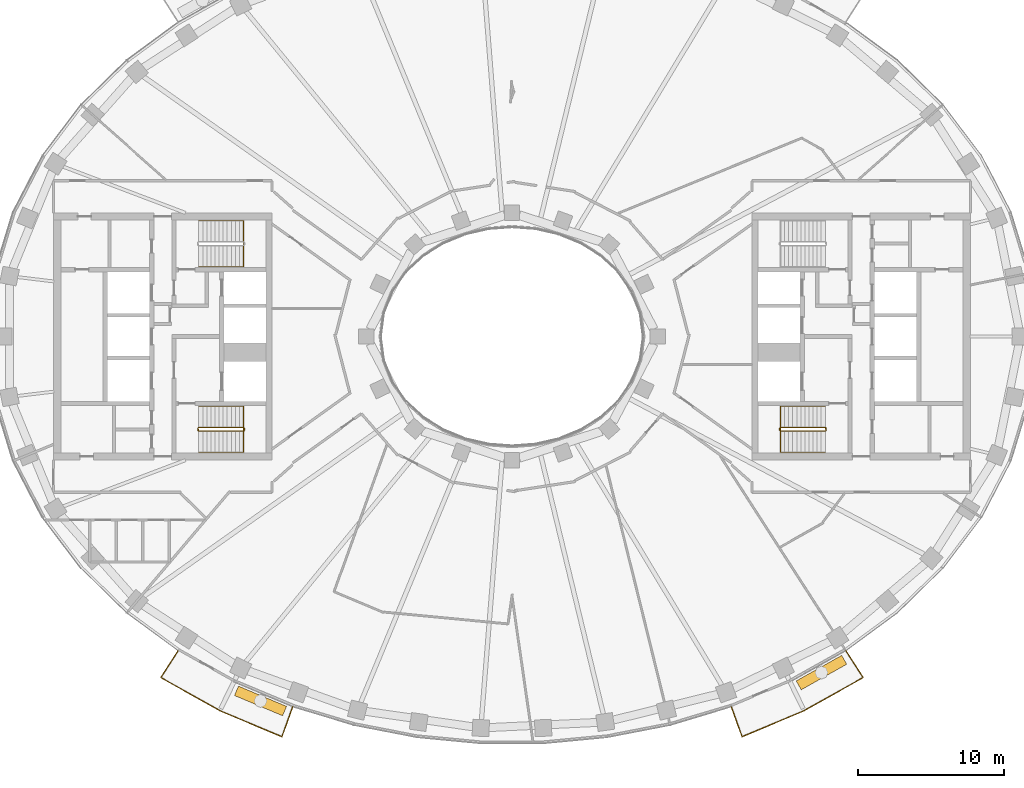
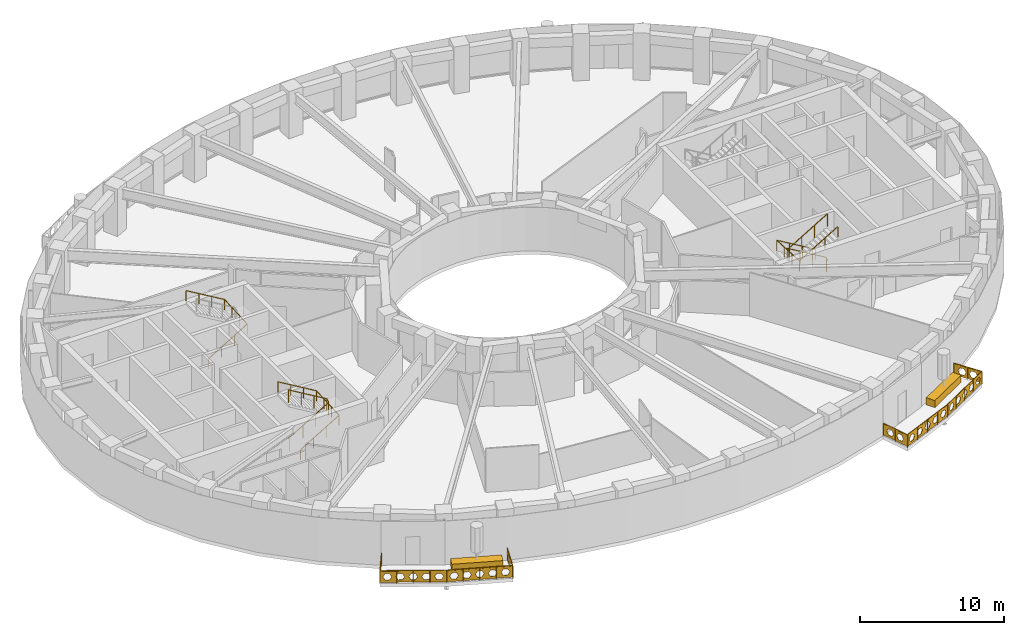
# One storey, part 13 of 15: 7 railings, 2 coverings.
"""IFC4 building model written with IfcOpenShell, lengths in metres."""

from ifc_helpers import new_model, si_unit, direction, frame, origin, origin_2d, place, context, subcontext, project, spatial, polyline, rectangle, outline, extrude, material, type_object, element, save


model = new_model("IFC4")

# Units and contexts
model_context = context("Model", 3, precision=1e-05, world=origin(), true_north=direction((0.0, 1.0)))
body_context = subcontext(model_context, "Body", "Model", "MODEL_VIEW")
ifc_project = project(units=[si_unit("LENGTHUNIT", "METRE"), si_unit("AREAUNIT", "SQUARE_METRE"), si_unit("VOLUMEUNIT", "CUBIC_METRE"), si_unit("PLANEANGLEUNIT", "RADIAN"), si_unit("MASSUNIT", "GRAM", prefix="KILO")], contexts=[model_context])

# Site, building, storey
site_placement = place(None, origin())
site = spatial("IfcSite", under=ifc_project, at=site_placement, CompositionType="ELEMENT")
building_placement = place(site_placement, origin())
building = spatial("IfcBuilding", under=site, at=building_placement, Name="Noorbagh Ring Tower", CompositionType="ELEMENT")
storey_placement = place(building_placement, frame((0.0, 0.0, 182.0)))
storey = spatial("IfcBuildingStorey", under=building, at=storey_placement, Name="L42", CompositionType="ELEMENT", Elevation=182.0)

# Railings
ifc_material_1 = material(Name="Stainless steel", Category="steel")
railing_type_1 = type_object("IfcRailingType", Name="CORE-STAIR-GUARD", PredefinedType="GUARDRAIL", material=ifc_material_1)
railing_1_placement = place(storey_placement, frame((-21.580078125, -6.449951171875, 0.0)))
element("IfcRailing", 1, at=railing_1_placement, inside=storey, type_object=railing_type_1, Name="L42 ST2 stair guard", PredefinedType="GUARDRAIL", context=body_context, shape_type="SweptSolid", body=[
    extrude(rectangle(XDim=0.048095703125, YDim=0.048095703125, at=origin_2d()), frame((0.0, 0.0, 1.076171875), z_axis=(0.0, 1.0, 0.0), x_axis=(-1.0, 0.0, 0.0)), (0.0, 0.0, 1.0), 0.14990234375),
    extrude(rectangle(XDim=0.048095703125, YDim=0.048095703125, at=origin_2d()), frame((0.0, 0.14990234375, 1.076171875), z_axis=(0.188775798145, -0.754182335027, 0.628945707965), x_axis=(0.970072785993, 0.242814311512, 0.0)), (0.0, 0.0, 1.0), 0.26513671875),
    extrude(rectangle(XDim=0.048095703125, YDim=0.048095703125, at=origin_2d()), frame((0.050048828125, -0.050048828125, 1.24267578125), z_axis=(0.859308565015, 0.0, 0.511457515432), x_axis=(0.0, 1.0, 0.0)), (0.0, 0.0, 1.0), 3.58447265625),
    extrude(rectangle(XDim=0.048095703125, YDim=0.048095703125, at=origin_2d()), frame((3.130126953125, -0.050048828125, 3.076171875), z_axis=(0.707106781187, 0.707106781187, 0.0), x_axis=(-0.707106781187, 0.707106781187, 0.0)), (0.0, 0.0, 1.0), 0.07080078125),
    extrude(rectangle(XDim=0.048095703125, YDim=0.048095703125, at=origin_2d()), frame((3.18017578125, 0.0, 3.076171875), z_axis=(0.0, 1.0, 0.0), x_axis=(-1.0, 0.0, 0.0)), (0.0, 0.0, 1.0), 0.14990234375),
    extrude(rectangle(XDim=0.048095703125, YDim=0.048095703125, at=origin_2d()), frame((3.18017578125, 0.14990234375, 3.076171875), z_axis=(-0.27628659633, 0.27628659633, 0.920506074601), x_axis=(-0.707106781187, -0.707106781187, 0.0)), (0.0, 0.0, 1.0), 0.18115234375),
    extrude(rectangle(XDim=0.048095703125, YDim=0.048095703125, at=origin_2d()), frame((3.130126953125, 0.199951171875, 3.24267578125), z_axis=(-0.859308565015, 0.0, 0.511457515432), x_axis=(0.0, -1.0, 0.0)), (0.0, 0.0, 1.0), 3.58447265625),
    extrude(rectangle(XDim=0.0419921875, YDim=0.0419921875, at=origin_2d()), origin(), (0.0, 0.0, 1.0), 1.052001953125),
    extrude(rectangle(XDim=0.0419921875, YDim=0.0419921875, at=origin_2d()), frame((1.07666015625, -0.050048828125, 0.77783203125)), (0.0, 0.0, 1.0), 1.052001953125),
    extrude(rectangle(XDim=0.0419921875, YDim=0.0419921875, at=origin_2d()), frame((2.103515625, -0.050048828125, 1.388916015625)), (0.0, 0.0, 1.0), 1.052001953125),
    extrude(rectangle(XDim=0.0419921875, YDim=0.0419921875, at=origin_2d()), frame((3.130126953125, -0.050048828125, 2.0)), (0.0, 0.0, 1.0), 1.052001953125),
    extrude(rectangle(XDim=0.0419921875, YDim=0.0419921875, at=origin_2d()), frame((3.130126953125, 0.199951171875, 2.166748046875)), (0.0, 0.0, 1.0), 1.052001953125),
    extrude(rectangle(XDim=0.0419921875, YDim=0.0419921875, at=origin_2d()), frame((2.103515625, 0.199951171875, 2.77783203125)), (0.0, 0.0, 1.0), 1.052001953125),
    extrude(rectangle(XDim=0.0419921875, YDim=0.0419921875, at=origin_2d()), frame((1.07666015625, 0.199951171875, 3.388916015625)), (0.0, 0.0, 1.0), 1.052001953125),
    extrude(rectangle(XDim=0.0419921875, YDim=0.0419921875, at=origin_2d()), frame((0.050048828125, 0.199951171875, 4.0)), (0.0, 0.0, 1.0), 1.052001953125),
])
railing_2_placement = place(storey_placement, frame((21.580078125, -6.300048828125, 0.0)))
element("IfcRailing", 2, at=railing_2_placement, inside=storey, type_object=railing_type_1, Name="L42 ST4 stair guard", PredefinedType="GUARDRAIL", context=body_context, shape_type="SweptSolid", body=[
    extrude(rectangle(XDim=0.048095703125, YDim=0.048095703125, at=origin_2d()), frame((0.0, 0.0, 1.076171875), z_axis=(0.0, -1.0, 0.0), x_axis=(1.0, 0.0, 0.0)), (0.0, 0.0, 1.0), 0.14990234375),
    extrude(rectangle(XDim=0.048095703125, YDim=0.048095703125, at=origin_2d()), frame((0.0, -0.14990234375, 1.076171875), z_axis=(-0.188775798145, 0.754182335027, 0.628945707965), x_axis=(-0.970072785993, -0.242814311512, 0.0)), (0.0, 0.0, 1.0), 0.26513671875),
    extrude(rectangle(XDim=0.048095703125, YDim=0.048095703125, at=origin_2d()), frame((-0.050048828125, 0.050048828125, 1.24267578125), z_axis=(-0.859308565015, 0.0, 0.511457515432), x_axis=(0.0, -1.0, 0.0)), (0.0, 0.0, 1.0), 3.58447265625),
    extrude(rectangle(XDim=0.048095703125, YDim=0.048095703125, at=origin_2d()), frame((-3.130126953125, 0.050048828125, 3.076171875), z_axis=(-0.707106781187, -0.707106781187, 0.0), x_axis=(0.707106781187, -0.707106781187, 0.0)), (0.0, 0.0, 1.0), 0.07080078125),
    extrude(rectangle(XDim=0.048095703125, YDim=0.048095703125, at=origin_2d()), frame((-3.18017578125, 0.0, 3.076171875), z_axis=(0.0, -1.0, 0.0), x_axis=(1.0, 0.0, 0.0)), (0.0, 0.0, 1.0), 0.14990234375),
    extrude(rectangle(XDim=0.048095703125, YDim=0.048095703125, at=origin_2d()), frame((-3.18017578125, -0.14990234375, 3.076171875), z_axis=(0.27628659633, -0.27628659633, 0.920506074601), x_axis=(0.707106781187, 0.707106781187, 0.0)), (0.0, 0.0, 1.0), 0.18115234375),
    extrude(rectangle(XDim=0.048095703125, YDim=0.048095703125, at=origin_2d()), frame((-3.130126953125, -0.199951171875, 3.24267578125), z_axis=(0.859308565015, 0.0, 0.511457515432), x_axis=(0.0, 1.0, 0.0)), (0.0, 0.0, 1.0), 3.58447265625),
    extrude(rectangle(XDim=0.0419921875, YDim=0.0419921875, at=origin_2d()), origin(), (0.0, 0.0, 1.0), 1.052001953125),
    extrude(rectangle(XDim=0.0419921875, YDim=0.0419921875, at=origin_2d()), frame((-1.07666015625, 0.050048828125, 0.77783203125)), (0.0, 0.0, 1.0), 1.052001953125),
    extrude(rectangle(XDim=0.0419921875, YDim=0.0419921875, at=origin_2d()), frame((-2.103515625, 0.050048828125, 1.388916015625)), (0.0, 0.0, 1.0), 1.052001953125),
    extrude(rectangle(XDim=0.0419921875, YDim=0.0419921875, at=origin_2d()), frame((-3.130126953125, 0.050048828125, 2.0)), (0.0, 0.0, 1.0), 1.052001953125),
    extrude(rectangle(XDim=0.0419921875, YDim=0.0419921875, at=origin_2d()), frame((-3.130126953125, -0.199951171875, 2.166748046875)), (0.0, 0.0, 1.0), 1.052001953125),
    extrude(rectangle(XDim=0.0419921875, YDim=0.0419921875, at=origin_2d()), frame((-2.103515625, -0.199951171875, 2.77783203125)), (0.0, 0.0, 1.0), 1.052001953125),
    extrude(rectangle(XDim=0.0419921875, YDim=0.0419921875, at=origin_2d()), frame((-1.07666015625, -0.199951171875, 3.388916015625)), (0.0, 0.0, 1.0), 1.052001953125),
    extrude(rectangle(XDim=0.0419921875, YDim=0.0419921875, at=origin_2d()), frame((-0.050048828125, -0.199951171875, 4.0)), (0.0, 0.0, 1.0), 1.052001953125),
])
ifc_material_2 = material(Name="Stainless steel", Category="steel")
railing_type_2 = type_object("IfcRailingType", Name="CORE-STAIR-HANDRAIL", PredefinedType="HANDRAIL", material=ifc_material_2)
railing_3_placement = place(storey_placement, frame((-21.530029296875, 4.800048828125, 0.166748046875)))
element("IfcRailing", 3, at=railing_3_placement, inside=storey, type_object=railing_type_2, Name="L42 ST1 stair handrail", PredefinedType="HANDRAIL", context=body_context, shape_type="SweptSolid", body=[
    extrude(rectangle(XDim=0.048095703125, YDim=0.048095703125, at=origin_2d()), frame((0.0, 0.0, 0.8759765625), z_axis=(0.859308565015, 0.0, 0.511457515432), x_axis=(0.0, 1.0, 0.0)), (0.0, 0.0, 1.0), 3.58447265625),
    extrude(rectangle(XDim=0.048095703125, YDim=0.048095703125, at=origin_2d()), frame((3.080078125, 0.0, 2.708984375), z_axis=(0.0, 0.998601747152, 0.052863509014), x_axis=(-1.0, 0.0, 0.0)), (0.0, 0.0, 1.0), 3.154296875),
    extrude(rectangle(XDim=0.048095703125, YDim=0.048095703125, at=origin_2d()), frame((3.080078125, 3.14990234375, 2.8759765625), z_axis=(-0.859308565015, 0.0, 0.511457515432), x_axis=(0.0, -1.0, 0.0)), (0.0, 0.0, 1.0), 3.58447265625),
    extrude(rectangle(XDim=0.0419921875, YDim=0.0419921875, at=origin_2d()), origin(), (0.0, 0.0, 1.0), 0.851806640625),
    extrude(rectangle(XDim=0.0419921875, YDim=0.0419921875, at=origin_2d()), frame((1.026611328125, 0.0, 0.611083984375)), (0.0, 0.0, 1.0), 0.851806640625),
    extrude(rectangle(XDim=0.0419921875, YDim=0.0419921875, at=origin_2d()), frame((2.053466796875, 0.0, 1.22216796875)), (0.0, 0.0, 1.0), 0.851806640625),
    extrude(rectangle(XDim=0.0419921875, YDim=0.0419921875, at=origin_2d()), frame((3.080078125, 0.0, 1.833251953125)), (0.0, 0.0, 1.0), 0.851806640625),
    extrude(rectangle(XDim=0.0419921875, YDim=0.0419921875, at=origin_2d()), frame((3.080078125, 1.050048828125, 1.888916015625)), (0.0, 0.0, 1.0), 0.851806640625),
    extrude(rectangle(XDim=0.0419921875, YDim=0.0419921875, at=origin_2d()), frame((3.080078125, 2.099853515625, 1.9443359375)), (0.0, 0.0, 1.0), 0.851806640625),
    extrude(rectangle(XDim=0.0419921875, YDim=0.0419921875, at=origin_2d()), frame((3.080078125, 3.14990234375, 2.0)), (0.0, 0.0, 1.0), 0.851806640625),
    extrude(rectangle(XDim=0.0419921875, YDim=0.0419921875, at=origin_2d()), frame((2.053466796875, 3.14990234375, 2.611083984375)), (0.0, 0.0, 1.0), 0.851806640625),
    extrude(rectangle(XDim=0.0419921875, YDim=0.0419921875, at=origin_2d()), frame((1.026611328125, 3.14990234375, 3.22216796875)), (0.0, 0.0, 1.0), 0.851806640625),
    extrude(rectangle(XDim=0.0419921875, YDim=0.0419921875, at=origin_2d()), frame((0.0, 3.14990234375, 3.833251953125)), (0.0, 0.0, 1.0), 0.851806640625),
])
railing_4_placement = place(storey_placement, frame((-21.530029296875, -7.949951171875, 0.166748046875)))
element("IfcRailing", 4, at=railing_4_placement, inside=storey, type_object=railing_type_2, Name="L42 ST2 stair handrail", PredefinedType="HANDRAIL", context=body_context, shape_type="SweptSolid", body=[
    extrude(rectangle(XDim=0.048095703125, YDim=0.048095703125, at=origin_2d()), frame((0.0, 0.0, 0.8759765625), z_axis=(0.859308565015, 0.0, 0.511457515432), x_axis=(0.0, 1.0, 0.0)), (0.0, 0.0, 1.0), 3.58447265625),
    extrude(rectangle(XDim=0.048095703125, YDim=0.048095703125, at=origin_2d()), frame((3.080078125, 0.0, 2.708984375), z_axis=(0.0, 0.998601747152, 0.052863509014), x_axis=(-1.0, 0.0, 0.0)), (0.0, 0.0, 1.0), 3.154296875),
    extrude(rectangle(XDim=0.048095703125, YDim=0.048095703125, at=origin_2d()), frame((3.080078125, 3.14990234375, 2.8759765625), z_axis=(-0.859308565015, 0.0, 0.511457515432), x_axis=(0.0, -1.0, 0.0)), (0.0, 0.0, 1.0), 3.58447265625),
    extrude(rectangle(XDim=0.0419921875, YDim=0.0419921875, at=origin_2d()), origin(), (0.0, 0.0, 1.0), 0.851806640625),
    extrude(rectangle(XDim=0.0419921875, YDim=0.0419921875, at=origin_2d()), frame((1.026611328125, 0.0, 0.611083984375)), (0.0, 0.0, 1.0), 0.851806640625),
    extrude(rectangle(XDim=0.0419921875, YDim=0.0419921875, at=origin_2d()), frame((2.053466796875, 0.0, 1.22216796875)), (0.0, 0.0, 1.0), 0.851806640625),
    extrude(rectangle(XDim=0.0419921875, YDim=0.0419921875, at=origin_2d()), frame((3.080078125, 0.0, 1.833251953125)), (0.0, 0.0, 1.0), 0.851806640625),
    extrude(rectangle(XDim=0.0419921875, YDim=0.0419921875, at=origin_2d()), frame((3.080078125, 1.050048828125, 1.888916015625)), (0.0, 0.0, 1.0), 0.851806640625),
    extrude(rectangle(XDim=0.0419921875, YDim=0.0419921875, at=origin_2d()), frame((3.080078125, 2.099853515625, 1.9443359375)), (0.0, 0.0, 1.0), 0.851806640625),
    extrude(rectangle(XDim=0.0419921875, YDim=0.0419921875, at=origin_2d()), frame((3.080078125, 3.14990234375, 2.0)), (0.0, 0.0, 1.0), 0.851806640625),
    extrude(rectangle(XDim=0.0419921875, YDim=0.0419921875, at=origin_2d()), frame((2.053466796875, 3.14990234375, 2.611083984375)), (0.0, 0.0, 1.0), 0.851806640625),
    extrude(rectangle(XDim=0.0419921875, YDim=0.0419921875, at=origin_2d()), frame((1.026611328125, 3.14990234375, 3.22216796875)), (0.0, 0.0, 1.0), 0.851806640625),
    extrude(rectangle(XDim=0.0419921875, YDim=0.0419921875, at=origin_2d()), frame((0.0, 3.14990234375, 3.833251953125)), (0.0, 0.0, 1.0), 0.851806640625),
])
railing_5_placement = place(storey_placement, frame((21.530029296875, -4.800048828125, 0.166748046875)))
element("IfcRailing", 5, at=railing_5_placement, inside=storey, type_object=railing_type_2, Name="L42 ST4 stair handrail", PredefinedType="HANDRAIL", context=body_context, shape_type="SweptSolid", body=[
    extrude(rectangle(XDim=0.048095703125, YDim=0.048095703125, at=origin_2d()), frame((0.0, 0.0, 0.8759765625), z_axis=(-0.859308565015, 0.0, 0.511457515432), x_axis=(0.0, -1.0, 0.0)), (0.0, 0.0, 1.0), 3.58447265625),
    extrude(rectangle(XDim=0.048095703125, YDim=0.048095703125, at=origin_2d()), frame((-3.080078125, 0.0, 2.708984375), z_axis=(0.0, -0.998601747152, 0.052863509014), x_axis=(1.0, 0.0, 0.0)), (0.0, 0.0, 1.0), 3.154296875),
    extrude(rectangle(XDim=0.048095703125, YDim=0.048095703125, at=origin_2d()), frame((-3.080078125, -3.14990234375, 2.8759765625), z_axis=(0.859308565015, 0.0, 0.511457515432), x_axis=(0.0, 1.0, 0.0)), (0.0, 0.0, 1.0), 3.58447265625),
    extrude(rectangle(XDim=0.0419921875, YDim=0.0419921875, at=origin_2d()), origin(), (0.0, 0.0, 1.0), 0.851806640625),
    extrude(rectangle(XDim=0.0419921875, YDim=0.0419921875, at=origin_2d()), frame((-1.026611328125, 0.0, 0.611083984375)), (0.0, 0.0, 1.0), 0.851806640625),
    extrude(rectangle(XDim=0.0419921875, YDim=0.0419921875, at=origin_2d()), frame((-2.053466796875, 0.0, 1.22216796875)), (0.0, 0.0, 1.0), 0.851806640625),
    extrude(rectangle(XDim=0.0419921875, YDim=0.0419921875, at=origin_2d()), frame((-3.080078125, 0.0, 1.833251953125)), (0.0, 0.0, 1.0), 0.851806640625),
    extrude(rectangle(XDim=0.0419921875, YDim=0.0419921875, at=origin_2d()), frame((-3.080078125, -1.050048828125, 1.888916015625)), (0.0, 0.0, 1.0), 0.851806640625),
    extrude(rectangle(XDim=0.0419921875, YDim=0.0419921875, at=origin_2d()), frame((-3.080078125, -2.099853515625, 1.9443359375)), (0.0, 0.0, 1.0), 0.851806640625),
    extrude(rectangle(XDim=0.0419921875, YDim=0.0419921875, at=origin_2d()), frame((-3.080078125, -3.14990234375, 2.0)), (0.0, 0.0, 1.0), 0.851806640625),
    extrude(rectangle(XDim=0.0419921875, YDim=0.0419921875, at=origin_2d()), frame((-2.053466796875, -3.14990234375, 2.611083984375)), (0.0, 0.0, 1.0), 0.851806640625),
    extrude(rectangle(XDim=0.0419921875, YDim=0.0419921875, at=origin_2d()), frame((-1.026611328125, -3.14990234375, 3.22216796875)), (0.0, 0.0, 1.0), 0.851806640625),
    extrude(rectangle(XDim=0.0419921875, YDim=0.0419921875, at=origin_2d()), frame((0.0, -3.14990234375, 3.833251953125)), (0.0, 0.0, 1.0), 0.851806640625),
])
ifc_material_3 = material(Name="Steel S275 black powder-coated", Category="steel")
railing_type_3 = type_object("IfcRailingType", Name="ENV-GUARD", PredefinedType="GUARDRAIL", material=ifc_material_3)
railing_6_placement = place(storey_placement, frame((-22.9326171875, -21.583740234375, 0.0)))
element("IfcRailing", 6, at=railing_6_placement, inside=storey, type_object=railing_type_3, Name="Balcony guard BS02", PredefinedType="GUARDRAIL", context=body_context, shape_type="SweptSolid", body=[
    extrude(rectangle(XDim=0.048095703125, YDim=0.048095703125, at=origin_2d()), frame((0.0, 0.0, 1.076171875), z_axis=(-0.542268136821, -0.840205491406, 0.0), x_axis=(0.840205491406, -0.542268136821, 0.0)), (0.0, 0.0, 1.0), 2.204345703125),
    extrude(rectangle(XDim=0.048095703125, YDim=0.048095703125, at=origin_2d()), frame((-1.1953125, -1.85205078125, 1.076171875), z_axis=(0.872052247658, -0.489412788303, 0.0), x_axis=(0.489412788303, 0.872052247658, 0.0)), (0.0, 0.0, 1.0), 4.646240234375),
    extrude(rectangle(XDim=0.048095703125, YDim=0.048095703125, at=origin_2d()), frame((2.8564453125, -4.1259765625, 1.076171875), z_axis=(0.921809087722, -0.387644174203, 0.0), x_axis=(0.387644174203, 0.921809087722, 0.0)), (0.0, 0.0, 1.0), 4.627197265625),
    extrude(rectangle(XDim=0.048095703125, YDim=0.048095703125, at=origin_2d()), frame((7.121826171875, -5.919677734375, 1.076171875), z_axis=(0.338350546839, 0.941020141896, 0.0), x_axis=(-0.941020141896, 0.338350546839, 0.0)), (0.0, 0.0, 1.0), 2.202880859375),
    extrude(rectangle(XDim=0.0419921875, YDim=0.0419921875, at=origin_2d()), origin(), (0.0, 0.0, 1.0), 1.052001953125),
    extrude(rectangle(XDim=0.0419921875, YDim=0.0419921875, at=origin_2d()), frame((-0.59765625, -0.926025390625, 0.0)), (0.0, 0.0, 1.0), 1.052001953125),
    extrude(rectangle(XDim=0.0419921875, YDim=0.0419921875, at=origin_2d()), frame((-1.1953125, -1.85205078125, 0.0)), (0.0, 0.0, 1.0), 1.052001953125),
    extrude(rectangle(XDim=0.0419921875, YDim=0.0419921875, at=origin_2d()), frame((-0.182373046875, -2.42041015625, 0.0)), (0.0, 0.0, 1.0), 1.052001953125),
    extrude(rectangle(XDim=0.0419921875, YDim=0.0419921875, at=origin_2d()), frame((0.83056640625, -2.989013671875, 0.0)), (0.0, 0.0, 1.0), 1.052001953125),
    extrude(rectangle(XDim=0.0419921875, YDim=0.0419921875, at=origin_2d()), frame((1.843505859375, -3.5576171875, 0.0)), (0.0, 0.0, 1.0), 1.052001953125),
    extrude(rectangle(XDim=0.0419921875, YDim=0.0419921875, at=origin_2d()), frame((2.8564453125, -4.1259765625, 0.0)), (0.0, 0.0, 1.0), 1.052001953125),
    extrude(rectangle(XDim=0.0419921875, YDim=0.0419921875, at=origin_2d()), frame((3.9228515625, -4.574462890625, 0.0)), (0.0, 0.0, 1.0), 1.052001953125),
    extrude(rectangle(XDim=0.0419921875, YDim=0.0419921875, at=origin_2d()), frame((4.9892578125, -5.02294921875, 0.0)), (0.0, 0.0, 1.0), 1.052001953125),
    extrude(rectangle(XDim=0.0419921875, YDim=0.0419921875, at=origin_2d()), frame((6.055419921875, -5.47119140625, 0.0)), (0.0, 0.0, 1.0), 1.052001953125),
    extrude(rectangle(XDim=0.0419921875, YDim=0.0419921875, at=origin_2d()), frame((7.121826171875, -5.919677734375, 0.0)), (0.0, 0.0, 1.0), 1.052001953125),
    extrude(rectangle(XDim=0.0419921875, YDim=0.0419921875, at=origin_2d()), frame((7.49462890625, -4.88330078125, 0.0)), (0.0, 0.0, 1.0), 1.052001953125),
    extrude(rectangle(XDim=0.0419921875, YDim=0.0419921875, at=origin_2d()), frame((7.8671875, -3.8466796875, 0.0)), (0.0, 0.0, 1.0), 1.052001953125),
    extrude(outline(polyline([(0.0, 0.10009765625), (2.204345703125, 0.10009765625), (2.204345703125, 1.031982421875), (0.0, 1.031982421875), (0.0, 0.10009765625)]), holes=[polyline([(0.962158203125, 0.56591796875), (0.80712890625, 0.83447265625), (0.4970703125, 0.83447265625), (0.342041015625, 0.56591796875), (0.4970703125, 0.297607421875), (0.80712890625, 0.297607421875), (0.962158203125, 0.56591796875)]), polyline([(1.862060546875, 0.56591796875), (1.70703125, 0.83447265625), (1.397216796875, 0.83447265625), (1.2421875, 0.56591796875), (1.397216796875, 0.297607421875), (1.70703125, 0.297607421875), (1.862060546875, 0.56591796875)])]), frame((0.00830078125, -0.00537109375, 0.0), z_axis=(-0.840205491406, 0.542268136821, 0.0), x_axis=(-0.542268136821, -0.840205491406, 0.0)), (0.0, 0.0, 1.0), 0.02001953125),
    extrude(outline(polyline([(0.0, 0.10009765625), (4.646240234375, 0.10009765625), (4.646240234375, 1.031982421875), (0.0, 1.031982421875), (0.0, 0.10009765625)]), holes=[polyline([(0.8330078125, 0.56591796875), (0.67822265625, 0.83447265625), (0.3681640625, 0.83447265625), (0.213134765625, 0.56591796875), (0.3681640625, 0.297607421875), (0.67822265625, 0.297607421875), (0.8330078125, 0.56591796875)]), polyline([(1.733154296875, 0.56591796875), (1.578125, 0.83447265625), (1.26806640625, 0.83447265625), (1.113037109375, 0.56591796875), (1.26806640625, 0.297607421875), (1.578125, 0.297607421875), (1.733154296875, 0.56591796875)]), polyline([(2.633056640625, 0.56591796875), (2.47802734375, 0.83447265625), (2.168212890625, 0.83447265625), (2.01318359375, 0.56591796875), (2.168212890625, 0.297607421875), (2.47802734375, 0.297607421875), (2.633056640625, 0.56591796875)]), polyline([(3.533203125, 0.56591796875), (3.378173828125, 0.83447265625), (3.068115234375, 0.83447265625), (2.9130859375, 0.56591796875), (3.068115234375, 0.297607421875), (3.378173828125, 0.297607421875), (3.533203125, 0.56591796875)]), polyline([(4.43310546875, 0.56591796875), (4.278076171875, 0.83447265625), (3.968017578125, 0.83447265625), (3.813232421875, 0.56591796875), (3.968017578125, 0.297607421875), (4.278076171875, 0.297607421875), (4.43310546875, 0.56591796875)])]), frame((-1.1904296875, -1.84326171875, 0.0), z_axis=(-0.489412788303, -0.872052247658, 0.0), x_axis=(0.872052247658, -0.489412788303, 0.0)), (0.0, 0.0, 1.0), 0.02001953125),
    extrude(outline(polyline([(0.0, 0.10009765625), (4.627197265625, 0.10009765625), (4.627197265625, 1.031982421875), (0.0, 1.031982421875), (0.0, 0.10009765625)]), holes=[polyline([(0.823486328125, 0.56591796875), (0.668701171875, 0.83447265625), (0.358642578125, 0.83447265625), (0.20361328125, 0.56591796875), (0.358642578125, 0.297607421875), (0.668701171875, 0.297607421875), (0.823486328125, 0.56591796875)]), polyline([(1.7236328125, 0.56591796875), (1.568603515625, 0.83447265625), (1.258544921875, 0.83447265625), (1.103515625, 0.56591796875), (1.258544921875, 0.297607421875), (1.568603515625, 0.297607421875), (1.7236328125, 0.56591796875)]), polyline([(2.62353515625, 0.56591796875), (2.468505859375, 0.83447265625), (2.15869140625, 0.83447265625), (2.003662109375, 0.56591796875), (2.15869140625, 0.297607421875), (2.468505859375, 0.297607421875), (2.62353515625, 0.56591796875)]), polyline([(3.523681640625, 0.56591796875), (3.36865234375, 0.83447265625), (3.05859375, 0.83447265625), (2.903564453125, 0.56591796875), (3.05859375, 0.297607421875), (3.36865234375, 0.297607421875), (3.523681640625, 0.56591796875)]), polyline([(4.423583984375, 0.56591796875), (4.2685546875, 0.83447265625), (3.95849609375, 0.83447265625), (3.8037109375, 0.56591796875), (3.95849609375, 0.297607421875), (4.2685546875, 0.297607421875), (4.423583984375, 0.56591796875)])]), frame((2.8603515625, -4.11669921875, 0.0), z_axis=(-0.387644174203, -0.921809087722, 0.0), x_axis=(0.921809087722, -0.387644174203, 0.0)), (0.0, 0.0, 1.0), 0.02001953125),
    extrude(outline(polyline([(0.0, 0.10009765625), (2.202880859375, 0.10009765625), (2.202880859375, 1.031982421875), (0.0, 1.031982421875), (0.0, 0.10009765625)]), holes=[polyline([(0.96142578125, 0.56591796875), (0.806396484375, 0.83447265625), (0.49658203125, 0.83447265625), (0.341552734375, 0.56591796875), (0.49658203125, 0.297607421875), (0.806396484375, 0.297607421875), (0.96142578125, 0.56591796875)]), polyline([(1.861572265625, 0.56591796875), (1.70654296875, 0.83447265625), (1.396484375, 0.83447265625), (1.241455078125, 0.56591796875), (1.396484375, 0.297607421875), (1.70654296875, 0.297607421875), (1.861572265625, 0.56591796875)])]), frame((7.1123046875, -5.916259765625, 0.0), z_axis=(0.941020141896, -0.338350546839, 0.0), x_axis=(0.338350546839, 0.941020141896, 0.0)), (0.0, 0.0, 1.0), 0.02001953125),
])
railing_7_placement = place(storey_placement, frame((15.0654296875, -25.430419921875, 0.0)))
element("IfcRailing", 7, at=railing_7_placement, inside=storey, type_object=railing_type_3, Name="Balcony guard BS05", PredefinedType="GUARDRAIL", context=body_context, shape_type="SweptSolid", body=[
    extrude(rectangle(XDim=0.048095703125, YDim=0.048095703125, at=origin_2d()), frame((0.0, 0.0, 1.076171875), z_axis=(0.338350546839, -0.941020141896, 0.0), x_axis=(0.941020141896, 0.338350546839, 0.0)), (0.0, 0.0, 1.0), 2.202880859375),
    extrude(rectangle(XDim=0.048095703125, YDim=0.048095703125, at=origin_2d()), frame((0.745361328125, -2.072998046875, 1.076171875), z_axis=(0.921809087722, 0.387644174203, 0.0), x_axis=(-0.387644174203, 0.921809087722, 0.0)), (0.0, 0.0, 1.0), 4.627197265625),
    extrude(rectangle(XDim=0.048095703125, YDim=0.048095703125, at=origin_2d()), frame((5.0107421875, -0.279296875, 1.076171875), z_axis=(0.872052247658, 0.489412788303, 0.0), x_axis=(-0.489412788303, 0.872052247658, 0.0)), (0.0, 0.0, 1.0), 4.646240234375),
    extrude(rectangle(XDim=0.048095703125, YDim=0.048095703125, at=origin_2d()), frame((9.0625, 1.99462890625, 1.076171875), z_axis=(-0.542268136821, 0.840205491406, 0.0), x_axis=(-0.840205491406, -0.542268136821, 0.0)), (0.0, 0.0, 1.0), 2.204345703125),
    extrude(rectangle(XDim=0.0419921875, YDim=0.0419921875, at=origin_2d()), origin(), (0.0, 0.0, 1.0), 1.052001953125),
    extrude(rectangle(XDim=0.0419921875, YDim=0.0419921875, at=origin_2d()), frame((0.37255859375, -1.03662109375, 0.0)), (0.0, 0.0, 1.0), 1.052001953125),
    extrude(rectangle(XDim=0.0419921875, YDim=0.0419921875, at=origin_2d()), frame((0.745361328125, -2.072998046875, 0.0)), (0.0, 0.0, 1.0), 1.052001953125),
    extrude(rectangle(XDim=0.0419921875, YDim=0.0419921875, at=origin_2d()), frame((1.811767578125, -1.62451171875, 0.0)), (0.0, 0.0, 1.0), 1.052001953125),
    extrude(rectangle(XDim=0.0419921875, YDim=0.0419921875, at=origin_2d()), frame((2.8779296875, -1.17626953125, 0.0)), (0.0, 0.0, 1.0), 1.052001953125),
    extrude(rectangle(XDim=0.0419921875, YDim=0.0419921875, at=origin_2d()), frame((3.9443359375, -0.727783203125, 0.0)), (0.0, 0.0, 1.0), 1.052001953125),
    extrude(rectangle(XDim=0.0419921875, YDim=0.0419921875, at=origin_2d()), frame((5.0107421875, -0.279296875, 0.0)), (0.0, 0.0, 1.0), 1.052001953125),
    extrude(rectangle(XDim=0.0419921875, YDim=0.0419921875, at=origin_2d()), frame((6.023681640625, 0.2890625, 0.0)), (0.0, 0.0, 1.0), 1.052001953125),
    extrude(rectangle(XDim=0.0419921875, YDim=0.0419921875, at=origin_2d()), frame((7.03662109375, 0.857666015625, 0.0)), (0.0, 0.0, 1.0), 1.052001953125),
    extrude(rectangle(XDim=0.0419921875, YDim=0.0419921875, at=origin_2d()), frame((8.049560546875, 1.42626953125, 0.0)), (0.0, 0.0, 1.0), 1.052001953125),
    extrude(rectangle(XDim=0.0419921875, YDim=0.0419921875, at=origin_2d()), frame((9.0625, 1.99462890625, 0.0)), (0.0, 0.0, 1.0), 1.052001953125),
    extrude(rectangle(XDim=0.0419921875, YDim=0.0419921875, at=origin_2d()), frame((8.46484375, 2.920654296875, 0.0)), (0.0, 0.0, 1.0), 1.052001953125),
    extrude(rectangle(XDim=0.0419921875, YDim=0.0419921875, at=origin_2d()), frame((7.8671875, 3.8466796875, 0.0)), (0.0, 0.0, 1.0), 1.052001953125),
    extrude(outline(polyline([(0.0, 0.10009765625), (2.202880859375, 0.10009765625), (2.202880859375, 1.031982421875), (0.0, 1.031982421875), (0.0, 0.10009765625)]), holes=[polyline([(0.96142578125, 0.56591796875), (0.806396484375, 0.83447265625), (0.49658203125, 0.83447265625), (0.341552734375, 0.56591796875), (0.49658203125, 0.297607421875), (0.806396484375, 0.297607421875), (0.96142578125, 0.56591796875)]), polyline([(1.861572265625, 0.56591796875), (1.70654296875, 0.83447265625), (1.396484375, 0.83447265625), (1.241455078125, 0.56591796875), (1.396484375, 0.297607421875), (1.70654296875, 0.297607421875), (1.861572265625, 0.56591796875)])]), frame((0.009521484375, 0.00341796875, 0.0), z_axis=(-0.941020141896, -0.338350546839, 0.0), x_axis=(0.338350546839, -0.941020141896, 0.0)), (0.0, 0.0, 1.0), 0.02001953125),
    extrude(outline(polyline([(0.0, 0.10009765625), (4.627197265625, 0.10009765625), (4.627197265625, 1.031982421875), (0.0, 1.031982421875), (0.0, 0.10009765625)]), holes=[polyline([(0.823486328125, 0.56591796875), (0.668701171875, 0.83447265625), (0.358642578125, 0.83447265625), (0.20361328125, 0.56591796875), (0.358642578125, 0.297607421875), (0.668701171875, 0.297607421875), (0.823486328125, 0.56591796875)]), polyline([(1.7236328125, 0.56591796875), (1.568603515625, 0.83447265625), (1.258544921875, 0.83447265625), (1.103515625, 0.56591796875), (1.258544921875, 0.297607421875), (1.568603515625, 0.297607421875), (1.7236328125, 0.56591796875)]), polyline([(2.62353515625, 0.56591796875), (2.468505859375, 0.83447265625), (2.15869140625, 0.83447265625), (2.003662109375, 0.56591796875), (2.15869140625, 0.297607421875), (2.468505859375, 0.297607421875), (2.62353515625, 0.56591796875)]), polyline([(3.523681640625, 0.56591796875), (3.36865234375, 0.83447265625), (3.05859375, 0.83447265625), (2.903564453125, 0.56591796875), (3.05859375, 0.297607421875), (3.36865234375, 0.297607421875), (3.523681640625, 0.56591796875)]), polyline([(4.423583984375, 0.56591796875), (4.2685546875, 0.83447265625), (3.95849609375, 0.83447265625), (3.8037109375, 0.56591796875), (3.95849609375, 0.297607421875), (4.2685546875, 0.297607421875), (4.423583984375, 0.56591796875)])]), frame((0.741455078125, -2.063720703125, 0.0), z_axis=(0.387644174203, -0.921809087722, 0.0), x_axis=(0.921809087722, 0.387644174203, 0.0)), (0.0, 0.0, 1.0), 0.02001953125),
    extrude(outline(polyline([(0.0, 0.10009765625), (4.646240234375, 0.10009765625), (4.646240234375, 1.031982421875), (0.0, 1.031982421875), (0.0, 0.10009765625)]), holes=[polyline([(0.8330078125, 0.56591796875), (0.67822265625, 0.83447265625), (0.3681640625, 0.83447265625), (0.213134765625, 0.56591796875), (0.3681640625, 0.297607421875), (0.67822265625, 0.297607421875), (0.8330078125, 0.56591796875)]), polyline([(1.733154296875, 0.56591796875), (1.578125, 0.83447265625), (1.26806640625, 0.83447265625), (1.113037109375, 0.56591796875), (1.26806640625, 0.297607421875), (1.578125, 0.297607421875), (1.733154296875, 0.56591796875)]), polyline([(2.633056640625, 0.56591796875), (2.47802734375, 0.83447265625), (2.168212890625, 0.83447265625), (2.01318359375, 0.56591796875), (2.168212890625, 0.297607421875), (2.47802734375, 0.297607421875), (2.633056640625, 0.56591796875)]), polyline([(3.533203125, 0.56591796875), (3.378173828125, 0.83447265625), (3.068115234375, 0.83447265625), (2.9130859375, 0.56591796875), (3.068115234375, 0.297607421875), (3.378173828125, 0.297607421875), (3.533203125, 0.56591796875)]), polyline([(4.43310546875, 0.56591796875), (4.278076171875, 0.83447265625), (3.968017578125, 0.83447265625), (3.813232421875, 0.56591796875), (3.968017578125, 0.297607421875), (4.278076171875, 0.297607421875), (4.43310546875, 0.56591796875)])]), frame((5.005859375, -0.2705078125, 0.0), z_axis=(0.489412788303, -0.872052247658, 0.0), x_axis=(0.872052247658, 0.489412788303, 0.0)), (0.0, 0.0, 1.0), 0.02001953125),
    extrude(outline(polyline([(0.0, 0.10009765625), (2.204345703125, 0.10009765625), (2.204345703125, 1.031982421875), (0.0, 1.031982421875), (0.0, 0.10009765625)]), holes=[polyline([(0.962158203125, 0.56591796875), (0.80712890625, 0.83447265625), (0.4970703125, 0.83447265625), (0.342041015625, 0.56591796875), (0.4970703125, 0.297607421875), (0.80712890625, 0.297607421875), (0.962158203125, 0.56591796875)]), polyline([(1.862060546875, 0.56591796875), (1.70703125, 0.83447265625), (1.397216796875, 0.83447265625), (1.2421875, 0.56591796875), (1.397216796875, 0.297607421875), (1.70703125, 0.297607421875), (1.862060546875, 0.56591796875)])]), frame((9.05419921875, 1.9892578125, 0.0), z_axis=(0.840205491406, 0.542268136821, 0.0), x_axis=(-0.542268136821, 0.840205491406, 0.0)), (0.0, 0.0, 1.0), 0.02001953125),
])

# Coverings
ifc_material_4 = material(Name="Concrete C30/37 planter with soil", Category="concrete")
covering_type = type_object("IfcCoveringType", Name="ENV-PLANTER", PredefinedType="CLADDING", material=ifc_material_4)
covering_1_placement = place(storey_placement, frame((-17.280517578125, -25.041259765625, 0.0), z_axis=(0.0, 0.0, 1.0), x_axis=(0.921811566494, -0.387638279686, 0.0)))
element("IfcCovering", 8, at=covering_1_placement, inside=storey, type_object=covering_type, Name="PLANTER BS02", ObjectType="PLANTER", PredefinedType="CLADDING", context=body_context, shape_type="SweptSolid", body=[
    extrude(rectangle(XDim=3.5859375, YDim=0.699951171875, at=origin_2d()), origin(), (0.0, 0.0, 1.0), 0.60009765625),
])
covering_2_placement = place(storey_placement, frame((21.26513671875, -23.093017578125, 0.0), z_axis=(0.0, 0.0, 1.0), x_axis=(0.872044586249, 0.48942643941, 0.0)))
element("IfcCovering", 9, at=covering_2_placement, inside=storey, type_object=covering_type, Name="PLANTER BS05", ObjectType="PLANTER", PredefinedType="CLADDING", context=body_context, shape_type="SweptSolid", body=[
    extrude(rectangle(XDim=3.58544921875, YDim=0.699951171875, at=origin_2d()), origin(), (0.0, 0.0, 1.0), 0.60009765625),
])

save(model, "model.ifc")
